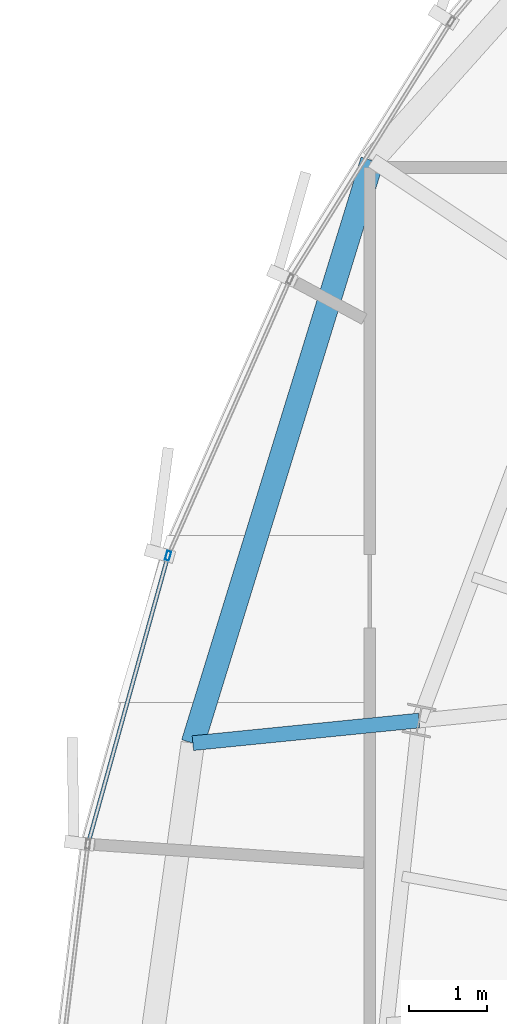
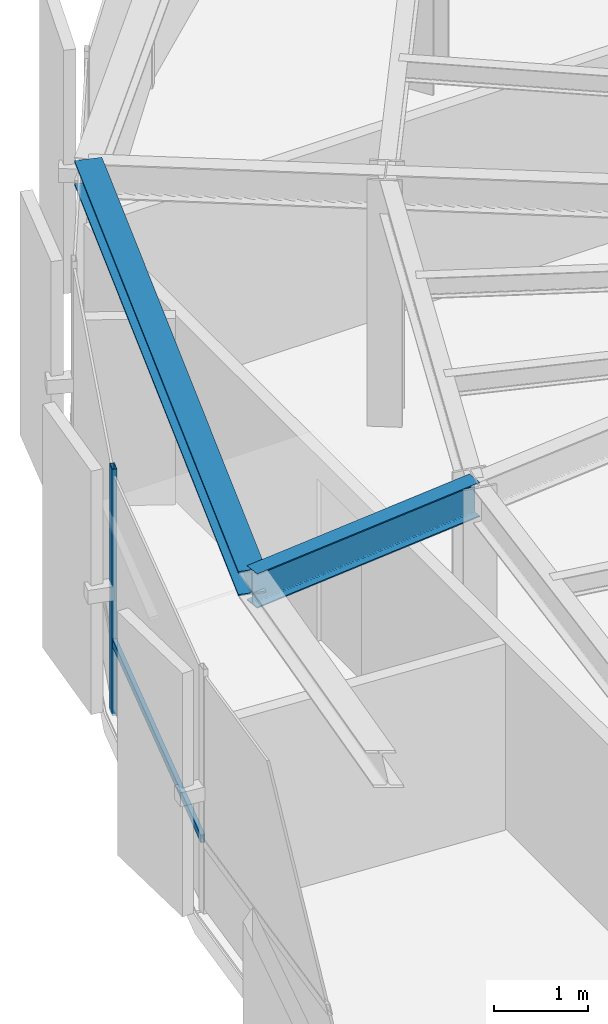
# One storey, part 11 of 31: 2 beams, 2 members, 1 element without a shape of its own.
"""IFC4 building model written with IfcOpenShell, lengths in metres."""

from ifc_helpers import new_model, si_unit, direction, frame, origin, origin_2d, place, context, subcontext, project, spatial, hollow_rectangle, i_section, extrude, source, transform, mapped, material, layer, layer_set, material_profile, profile_set, type_object, element, aggregate, save


model = new_model("IFC4")

# Units and contexts
model_context = context("Model", 3, precision=1e-05, world=origin(), true_north=direction((0.0, 1.0)))
body_context = subcontext(model_context, "Body", "Model", "MODEL_VIEW")
ifc_project = project(units=[si_unit("LENGTHUNIT", "METRE"), si_unit("AREAUNIT", "SQUARE_METRE"), si_unit("VOLUMEUNIT", "CUBIC_METRE"), si_unit("PLANEANGLEUNIT", "RADIAN"), si_unit("MASSUNIT", "GRAM", prefix="KILO"), si_unit("THERMODYNAMICTEMPERATUREUNIT", "KELVIN")], contexts=[model_context])

# Site, building, storey
site_placement = place(None, origin())
site = spatial("IfcSite", under=ifc_project, at=site_placement, CompositionType="ELEMENT")
building_placement = place(site_placement, origin())
building = spatial("IfcBuilding", under=site, at=building_placement, Name="Kethvar Cultural Tower", CompositionType="ELEMENT")
storey_placement = place(building_placement, frame((0.0, 0.0, 283.60009765625)))
storey = spatial("IfcBuildingStorey", under=building, at=storey_placement, Name="L75", CompositionType="ELEMENT", Elevation=283.60009765625)

# Beams
ifc_material_1 = material(Name="Steel S355J2", Category="steel")
ifc_material_profile_1 = material_profile(ifc_material_1, i_section(OverallWidth=0.18994140625, OverallDepth=0.449951171875, WebThickness=0.009521484375, FlangeThickness=0.0146484375, FilletRadius=0.02099609375, at=origin_2d()), Name="Steel S355J2 — IPE450")
ifc_profile_set_1 = profile_set([ifc_material_profile_1], Name="Steel S355J2 — IPE450")
beam_type_1 = type_object("IfcBeamType", Name="BM-IPE450", PredefinedType="BEAM", material=ifc_profile_set_1)
shared_shape_1 = source(origin(), body_context, "Body", "SweptSolid", [
    extrude(i_section(OverallWidth=0.18994140625, OverallDepth=0.449951171875, WebThickness=0.009521484375, FlangeThickness=0.0146484375, FilletRadius=0.02099609375, at=origin_2d()), origin(), (0.0, 0.0, 1.0), 2.92236328125),
])
beam_1_placement = place(storey_placement, frame((32.3125, 30.681884765625, 2.98291015625), z_axis=(-0.995046284478, -0.099412734324, 0.0), x_axis=(0.099412734324, -0.995046284478, 0.0)))
element("IfcBeam", 1, at=beam_1_placement, inside=storey, type_object=beam_type_1, Name="L75 Perimeter Cantilever Beam RC-08", PredefinedType="BEAM", context=body_context, shape_type="MappedRepresentation", body=[
    mapped(shared_shape_1, transform((0.0, 0.0, 0.0), scale=1.0)),
])
ifc_material_profile_2 = material_profile(ifc_material_1, i_section(OverallWidth=0.300048828125, OverallDepth=0.320068359375, WebThickness=0.011474609375, FlangeThickness=0.0205078125, FilletRadius=0.027099609375, at=origin_2d()), Name="Steel S355J2 — HEB320")
ifc_profile_set_2 = profile_set([ifc_material_profile_2], Name="Steel S355J2 — HEB320")
beam_type_2 = type_object("IfcBeamType", Name="BM-SP320", PredefinedType="SPANDREL", material=ifc_profile_set_2)
shared_shape_2 = source(origin(), body_context, "Body", "SweptSolid", [
    extrude(i_section(OverallWidth=0.300048828125, OverallDepth=0.320068359375, WebThickness=0.011474609375, FlangeThickness=0.0205078125, FilletRadius=0.027099609375, at=origin_2d()), origin(), (0.0, 0.0, 1.0), 7.837646484375),
])
beam_2_placement = place(storey_placement, frame((31.711181640625, 37.8818359375, 3.0478515625), z_axis=(-0.294304732669, -0.955711632412, 0.0), x_axis=(0.955711632412, -0.294304732669, 0.0)))
element("IfcBeam", 2, at=beam_2_placement, inside=storey, type_object=beam_type_2, Name="L75 Perimeter Spandrel Beam SP-07", PredefinedType="SPANDREL", context=body_context, shape_type="MappedRepresentation", body=[
    mapped(shared_shape_2, transform((0.0, 0.0, 0.0), scale=1.0)),
])

# Curtain wall, members
ifc_material_2 = material(Name="Aluminium 6063-T6", Category="aluminium")
ifc_layer = layer(ifc_material_2, 0.179931640625, Name="Aluminium 6063-T6", Category="aluminium")
ifc_layer_set = layer_set([ifc_layer], Name="Aluminium 6063-T6 (180 mm)")
curtain_wall_type = type_object("IfcCurtainWallType", Name="CW-SYS-05-Z56", PredefinedType="NOTDEFINED", material=ifc_layer_set)
curtain_wall_placement = place(storey_placement, origin())
curtain_wall = element("IfcCurtainWall", 3, at=curtain_wall_placement, inside=storey, type_object=curtain_wall_type, Name="L75 Curtain Wall Run 02", PredefinedType="NOTDEFINED")
ifc_material_profile_3 = material_profile(ifc_material_2, hollow_rectangle(XDim=0.054931640625, YDim=0.1201171875, WallThickness=0.00390625, at=origin_2d()), Name="Aluminium 6063-T6 — RHS120x55x4")
ifc_profile_set_3 = profile_set([ifc_material_profile_3], Name="Aluminium 6063-T6 — RHS120x55x4")
member_type_1 = type_object("IfcMemberType", Name="CW-SYS-05-Z56-MUL", PredefinedType="MULLION", material=ifc_profile_set_3)
shared_shape_3 = source(origin(), body_context, "Body", "SweptSolid", [
    extrude(hollow_rectangle(XDim=0.054931640625, YDim=0.1201171875, WallThickness=0.00390625, at=origin_2d()), origin(), (0.0, 0.0, 1.0), 3.2099609375),
])
member_1_placement = place(storey_placement, frame((29.085693359375, 32.80029296875, 0.0), z_axis=(0.0, 0.0, 1.0), x_axis=(0.9635744618, -0.267440192506, 0.0)))
member_1 = element("IfcMember", 4, at=member_1_placement, type_object=member_type_1, Name="CW-L75-R02 Mullion 5", PredefinedType="MULLION", context=body_context, shape_type="MappedRepresentation", body=[
    mapped(shared_shape_3, transform((0.0, 0.0, 0.0), scale=1.0)),
])
ifc_material_profile_4 = material_profile(ifc_material_2, hollow_rectangle(XDim=0.050048828125, YDim=0.10009765625, WallThickness=0.00390625, at=origin_2d()), Name="Aluminium 6063-T6 — RHS100x50x4")
ifc_profile_set_4 = profile_set([ifc_material_profile_4], Name="Aluminium 6063-T6 — RHS100x50x4")
member_type_2 = type_object("IfcMemberType", Name="CW-SYS-05-Z56-TRN", PredefinedType="USERDEFINED", material=ifc_profile_set_4)
shared_shape_4 = source(origin(), body_context, "Body", "SweptSolid", [
    extrude(hollow_rectangle(XDim=0.050048828125, YDim=0.10009765625, WallThickness=0.00390625, at=origin_2d()), origin(), (0.0, 0.0, 1.0), 3.7841796875),
])
member_2_placement = place(storey_placement, frame((29.0751953125, 32.761962890625, 0.949951171875), z_axis=(-0.267487466625, -0.963561339614, 0.0), x_axis=(0.963561339614, -0.267487466625, 0.0)))
member_2 = element("IfcMember", 5, at=member_2_placement, type_object=member_type_2, Name="CW-L75-R02 Transom 5", ObjectType="TRANSOM", PredefinedType="USERDEFINED", context=body_context, shape_type="MappedRepresentation", body=[
    mapped(shared_shape_4, transform((0.0, 0.0, 0.0), scale=1.0)),
])
aggregate(curtain_wall, [member_1, member_2])

save(model, "model.ifc")
